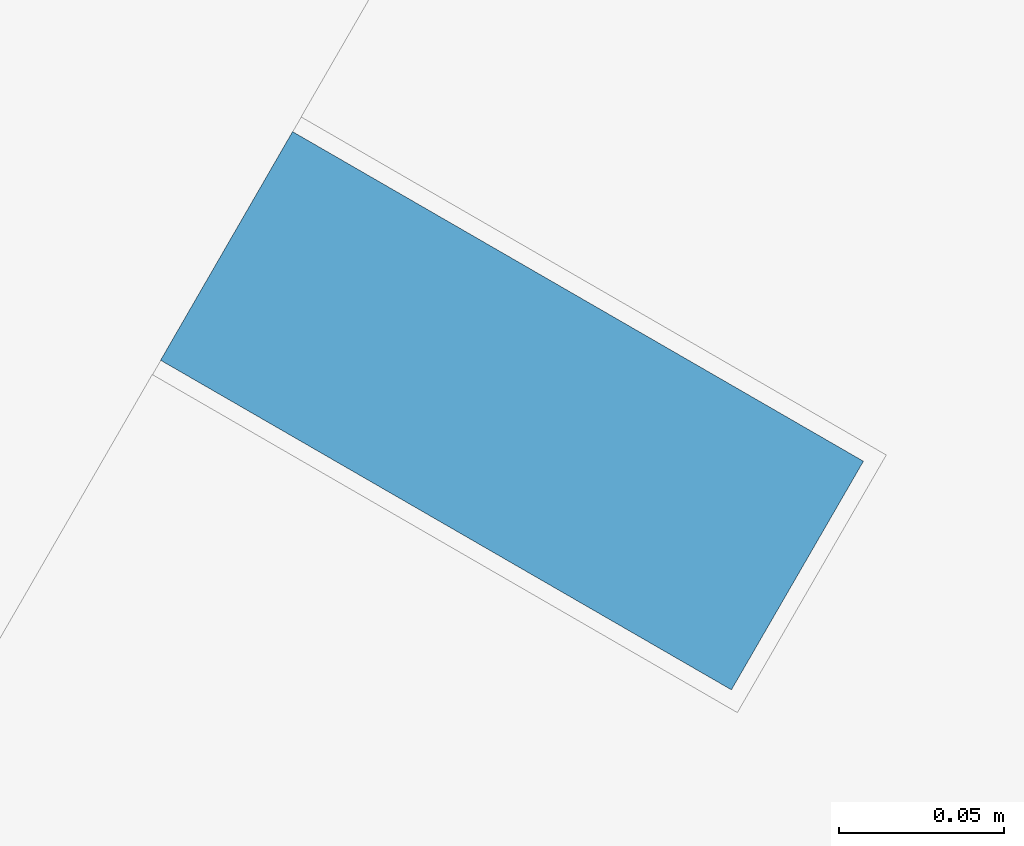
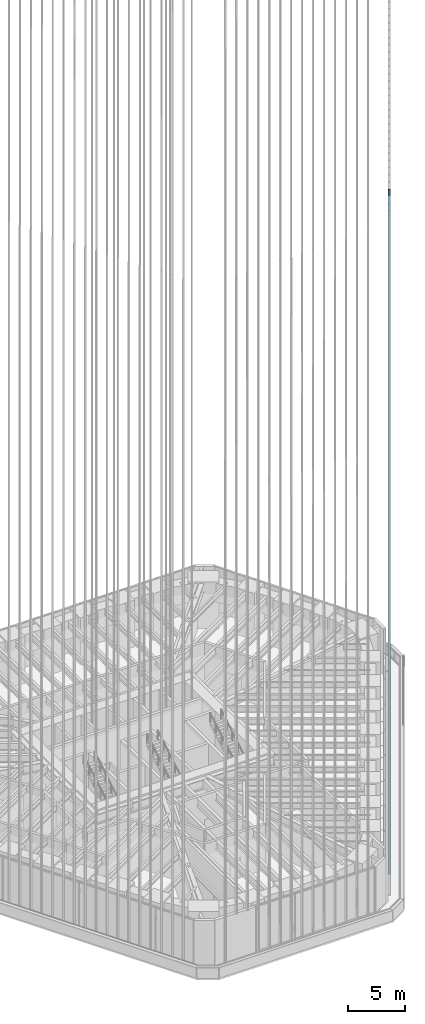
# One storey, part 82 of 228: 1 member, 1 element without a shape of its own.
"""IFC4 building model written with IfcOpenShell, lengths in metres."""

from ifc_helpers import new_model, si_unit, direction, frame, origin, origin_2d, place, context, subcontext, project, spatial, rectangle, extrude, material, material_profile, profile_set, type_object, element, aggregate, save


model = new_model("IFC4")

# Units and contexts
model_context = context("Model", 3, precision=1e-05, world=origin(), true_north=direction((0.0, 1.0)))
body_context = subcontext(model_context, "Body", "Model", "MODEL_VIEW")
ifc_project = project(units=[si_unit("LENGTHUNIT", "METRE"), si_unit("AREAUNIT", "SQUARE_METRE"), si_unit("VOLUMEUNIT", "CUBIC_METRE"), si_unit("PLANEANGLEUNIT", "RADIAN"), si_unit("MASSUNIT", "GRAM", prefix="KILO")], contexts=[model_context])

# Site, building, storey
site_placement = place(None, origin())
site = spatial("IfcSite", under=ifc_project, at=site_placement, CompositionType="ELEMENT")
building_placement = place(site_placement, origin())
building = spatial("IfcBuilding", under=site, at=building_placement, Name="Sandreach Pilgrim Tower", CompositionType="ELEMENT")
storey_placement = place(building_placement, frame((0.0, 0.0, 178.199951171875)))
storey = spatial("IfcBuildingStorey", under=building, at=storey_placement, Name="L44", CompositionType="ELEMENT", Elevation=178.199951171875)

# Curtain wall, member
ifc_material_1 = material(Name="Aluminium framed curtain wall", Category="aluminium")
curtain_wall_type = type_object("IfcCurtainWallType", Name="Upper hotel tower curtain wall", PredefinedType="NOTDEFINED", material=ifc_material_1)
curtain_wall_placement = place(storey_placement, origin())
curtain_wall = element("IfcCurtainWall", 1, at=curtain_wall_placement, inside=storey, type_object=curtain_wall_type, Name="CW-3 L44 SE", PredefinedType="NOTDEFINED")
ifc_material_2 = material(Name="Extruded terracotta on aluminium core", Category="masonry")
ifc_material_profile = material_profile(ifc_material_2, rectangle(XDim=0.080078125, YDim=0.199951171875, at=origin_2d()), Name="TBE 80X200")
ifc_profile_set = profile_set([ifc_material_profile], Name="Extruded terracotta on aluminium core")
member_type = type_object("IfcMemberType", Name="Terracotta baguette east", PredefinedType="USERDEFINED", material=ifc_profile_set)
member_placement = place(storey_placement, frame((12.063720703125, -22.22509765625, 0.0), z_axis=(0.0, 0.0, 1.0), x_axis=(-0.5, -0.866025403784, 0.0)))
member = element("IfcMember", 2, at=member_placement, type_object=member_type, Name="Baguette Z3 SE28", ObjectType="BAGUETTE", PredefinedType="USERDEFINED", context=body_context, shape_type="SweptSolid", body=[
    extrude(rectangle(XDim=0.080078125, YDim=0.199951171875, at=origin_2d()), origin(), (0.0, 0.0, 1.0), 73.239990234375),
])
aggregate(curtain_wall, [member])

save(model, "model.ifc")
